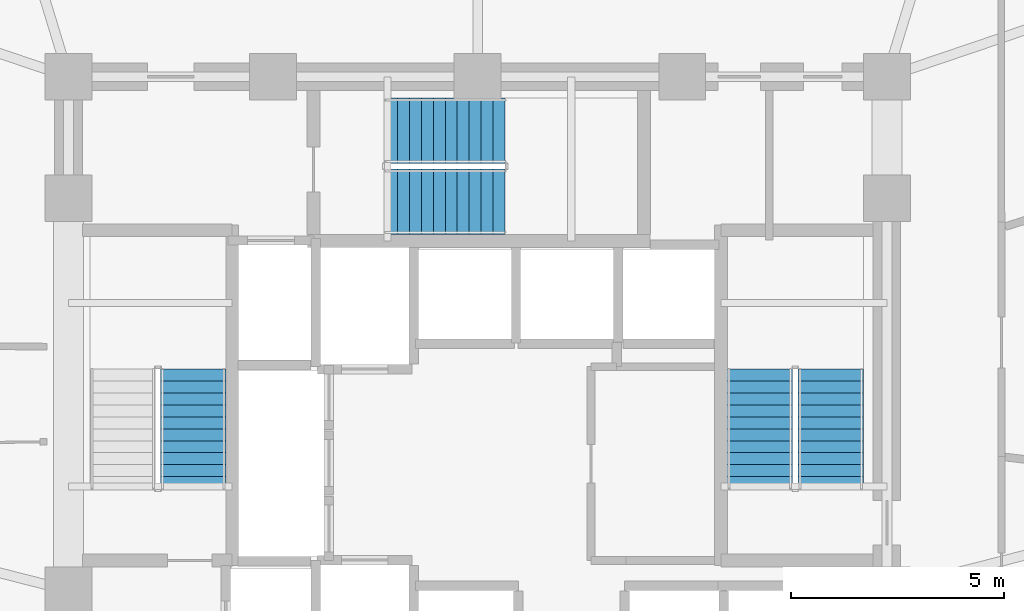
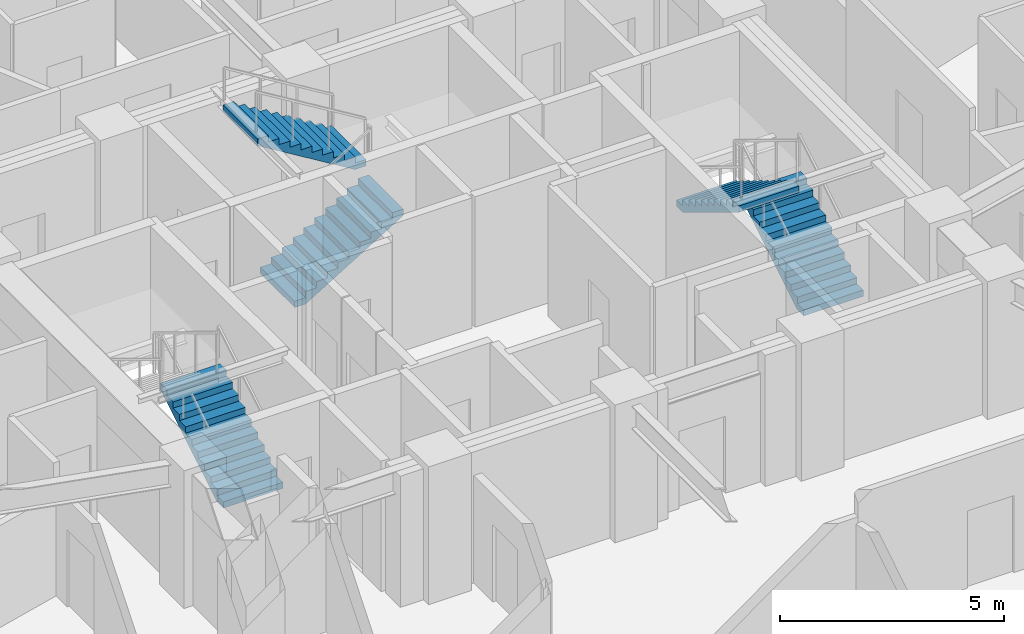
# One storey, part 28 of 33: 5 stair flights, 3 elements without a shape of their own.
"""IFC4 building model written with IfcOpenShell, lengths in metres."""

from ifc_helpers import new_model, si_unit, direction, frame, origin, place, context, subcontext, project, spatial, polyline, outline, extrude, material, type_object, element, aggregate, save


model = new_model("IFC4")

# Units and contexts
model_context = context("Model", 3, precision=1e-05, world=origin(), true_north=direction((0.0, 1.0)))
body_context = subcontext(model_context, "Body", "Model", "MODEL_VIEW")
ifc_project = project(units=[si_unit("LENGTHUNIT", "METRE"), si_unit("AREAUNIT", "SQUARE_METRE"), si_unit("VOLUMEUNIT", "CUBIC_METRE"), si_unit("PLANEANGLEUNIT", "RADIAN"), si_unit("MASSUNIT", "GRAM", prefix="KILO")], contexts=[model_context])

# Site, building, storey
site_placement = place(None, origin())
site = spatial("IfcSite", under=ifc_project, at=site_placement, CompositionType="ELEMENT")
building_placement = place(site_placement, origin())
building = spatial("IfcBuilding", under=site, at=building_placement, Name="Vantalir Tower", CompositionType="ELEMENT")
storey_placement = place(building_placement, frame((0.0, 0.0, 72.0)))
storey = spatial("IfcBuildingStorey", under=building, at=storey_placement, Name="L17", CompositionType="ELEMENT", Elevation=72.0)

# Stair, stair flight
ifc_material = material(Name="Concrete C40/50", Category="concrete")
stair_type = type_object("IfcStairType", Name="STR-CORE-1450", PredefinedType="HALF_TURN_STAIR", material=ifc_material)
stair_1_placement = place(storey_placement, origin())
stair_1 = element("IfcStair", 1, at=stair_1_placement, inside=storey, type_object=stair_type, Name="L17 Core Exit Stair 1", PredefinedType="HALF_TURN_STAIR")
stair_flight_type = type_object("IfcStairFlightType", Name="FLT-CORE-1450", PredefinedType="STRAIGHT", material=ifc_material)
stair_flight_1_placement = place(storey_placement, frame((24.830078125, 22.7900390625, 0.0), z_axis=(0.0, 0.0, 1.0), x_axis=(0.0, 1.0, 0.0)))
stair_flight_1 = element("IfcStairFlight", 2, at=stair_flight_1_placement, type_object=stair_flight_type, Name="ST1 flight 1", NumberOfRisers=11, NumberOfTreads=10, PredefinedType="STRAIGHT", RiserHeight=0.170454545, TreadLength=0.28, context=body_context, shape_type="SweptSolid", body=[
    extrude(outline(polyline([(0.0, 0.0), (0.0, 0.17041015625), (0.280029296875, 0.17041015625), (0.280029296875, 0.3408203125), (0.56005859375, 0.3408203125), (0.56005859375, 0.511474609375), (0.840087890625, 0.511474609375), (0.840087890625, 0.681884765625), (1.1201171875, 0.681884765625), (1.1201171875, 0.852294921875), (1.39990234375, 0.852294921875), (1.39990234375, 1.022705078125), (1.679931640625, 1.022705078125), (1.679931640625, 1.193115234375), (1.9599609375, 1.193115234375), (1.9599609375, 1.363525390625), (2.239990234375, 1.363525390625), (2.239990234375, 1.5341796875), (2.52001953125, 1.5341796875), (2.52001953125, 1.70458984375), (2.800048828125, 1.70458984375), (2.800048828125, 1.875), (2.800048828125, 1.529052734375), (0.288330078125, 0.0), (0.0, 0.0)])), frame((0.0, 0.77001953125, 0.0), z_axis=(0.0, -1.0, 0.0), x_axis=(1.0, 0.0, 0.0)), (0.0, 0.0, 1.0), 1.5400390625),
])
aggregate(stair_1, [stair_flight_1])

# Stair, stair flights
stair_2_placement = place(storey_placement, origin())
stair_2 = element("IfcStair", 3, at=stair_2_placement, inside=storey, type_object=stair_type, Name="L17 Core Exit Stair 2", PredefinedType="HALF_TURN_STAIR")
stair_flight_2_placement = place(storey_placement, frame((39.780029296875, 22.7900390625, 0.0), z_axis=(0.0, 0.0, 1.0), x_axis=(0.0, 1.0, 0.0)))
stair_flight_2 = element("IfcStairFlight", 4, at=stair_flight_2_placement, type_object=stair_flight_type, Name="ST2 flight 1", NumberOfRisers=11, NumberOfTreads=10, PredefinedType="STRAIGHT", RiserHeight=0.170454545, TreadLength=0.28, context=body_context, shape_type="SweptSolid", body=[
    extrude(outline(polyline([(0.0, 0.0), (0.0, 0.17041015625), (0.280029296875, 0.17041015625), (0.280029296875, 0.3408203125), (0.56005859375, 0.3408203125), (0.56005859375, 0.511474609375), (0.840087890625, 0.511474609375), (0.840087890625, 0.681884765625), (1.1201171875, 0.681884765625), (1.1201171875, 0.852294921875), (1.39990234375, 0.852294921875), (1.39990234375, 1.022705078125), (1.679931640625, 1.022705078125), (1.679931640625, 1.193115234375), (1.9599609375, 1.193115234375), (1.9599609375, 1.363525390625), (2.239990234375, 1.363525390625), (2.239990234375, 1.5341796875), (2.52001953125, 1.5341796875), (2.52001953125, 1.70458984375), (2.800048828125, 1.70458984375), (2.800048828125, 1.875), (2.800048828125, 1.529052734375), (0.288330078125, 0.0), (0.0, 0.0)])), frame((0.0, 0.77001953125, 0.0), z_axis=(0.0, -1.0, 0.0), x_axis=(1.0, 0.0, 0.0)), (0.0, 0.0, 1.0), 1.5400390625),
])
stair_flight_3_placement = place(storey_placement, frame((38.1201171875, 25.590087890625, 1.875), z_axis=(0.0, 0.0, 1.0), x_axis=(0.0, -1.0, 0.0)))
stair_flight_3 = element("IfcStairFlight", 5, at=stair_flight_3_placement, type_object=stair_flight_type, Name="ST2 flight 2", NumberOfRisers=11, NumberOfTreads=10, PredefinedType="STRAIGHT", RiserHeight=0.170454545, TreadLength=0.28, context=body_context, shape_type="SweptSolid", body=[
    extrude(outline(polyline([(0.0, 0.0), (0.0, 0.17041015625), (0.280029296875, 0.17041015625), (0.280029296875, 0.3408203125), (0.56005859375, 0.3408203125), (0.56005859375, 0.511474609375), (0.840087890625, 0.511474609375), (0.840087890625, 0.681884765625), (1.1201171875, 0.681884765625), (1.1201171875, 0.852294921875), (1.39990234375, 0.852294921875), (1.39990234375, 1.022705078125), (1.679931640625, 1.022705078125), (1.679931640625, 1.193115234375), (1.9599609375, 1.193115234375), (1.9599609375, 1.363525390625), (2.239990234375, 1.363525390625), (2.239990234375, 1.5341796875), (2.52001953125, 1.5341796875), (2.52001953125, 1.70458984375), (2.800048828125, 1.70458984375), (2.800048828125, 1.875), (2.800048828125, 1.529052734375), (0.288330078125, 0.0), (0.0, 0.0)])), frame((0.0, 0.77001953125, 0.0), z_axis=(0.0, -1.0, 0.0), x_axis=(1.0, 0.0, 0.0)), (0.0, 0.0, 1.0), 1.5400390625),
])
aggregate(stair_2, [stair_flight_2, stair_flight_3])

stair_3_placement = place(storey_placement, origin())
stair_3 = element("IfcStair", 6, at=stair_3_placement, inside=storey, type_object=stair_type, Name="L17 Core Exit Stair 3", PredefinedType="HALF_TURN_STAIR")
stair_flight_4_placement = place(storey_placement, frame((29.340087890625, 29.52001953125, 0.0), z_axis=(0.0, 0.0, 1.0), x_axis=(1.0, 0.0, 0.0)))
stair_flight_4 = element("IfcStairFlight", 7, at=stair_flight_4_placement, type_object=stair_flight_type, Name="ST3 flight 1", NumberOfRisers=11, NumberOfTreads=10, PredefinedType="STRAIGHT", RiserHeight=0.170454545, TreadLength=0.28, context=body_context, shape_type="SweptSolid", body=[
    extrude(outline(polyline([(0.0, 0.0), (0.0, 0.17041015625), (0.280029296875, 0.17041015625), (0.280029296875, 0.3408203125), (0.56005859375, 0.3408203125), (0.56005859375, 0.511474609375), (0.840087890625, 0.511474609375), (0.840087890625, 0.681884765625), (1.1201171875, 0.681884765625), (1.1201171875, 0.852294921875), (1.39990234375, 0.852294921875), (1.39990234375, 1.022705078125), (1.679931640625, 1.022705078125), (1.679931640625, 1.193115234375), (1.9599609375, 1.193115234375), (1.9599609375, 1.363525390625), (2.239990234375, 1.363525390625), (2.239990234375, 1.5341796875), (2.52001953125, 1.5341796875), (2.52001953125, 1.70458984375), (2.800048828125, 1.70458984375), (2.800048828125, 1.875), (2.800048828125, 1.529052734375), (0.288330078125, 0.0), (0.0, 0.0)])), frame((0.0, 0.77001953125, 0.0), z_axis=(0.0, -1.0, 0.0), x_axis=(1.0, 0.0, 0.0)), (0.0, 0.0, 1.0), 1.5400390625),
])
stair_flight_5_placement = place(storey_placement, frame((32.139892578125, 31.179931640625, 1.875), z_axis=(0.0, 0.0, 1.0), x_axis=(-1.0, 0.0, 0.0)))
stair_flight_5 = element("IfcStairFlight", 8, at=stair_flight_5_placement, type_object=stair_flight_type, Name="ST3 flight 2", NumberOfRisers=11, NumberOfTreads=10, PredefinedType="STRAIGHT", RiserHeight=0.170454545, TreadLength=0.28, context=body_context, shape_type="SweptSolid", body=[
    extrude(outline(polyline([(0.0, 0.0), (0.0, 0.17041015625), (0.280029296875, 0.17041015625), (0.280029296875, 0.3408203125), (0.56005859375, 0.3408203125), (0.56005859375, 0.511474609375), (0.840087890625, 0.511474609375), (0.840087890625, 0.681884765625), (1.1201171875, 0.681884765625), (1.1201171875, 0.852294921875), (1.39990234375, 0.852294921875), (1.39990234375, 1.022705078125), (1.679931640625, 1.022705078125), (1.679931640625, 1.193115234375), (1.9599609375, 1.193115234375), (1.9599609375, 1.363525390625), (2.239990234375, 1.363525390625), (2.239990234375, 1.5341796875), (2.52001953125, 1.5341796875), (2.52001953125, 1.70458984375), (2.800048828125, 1.70458984375), (2.800048828125, 1.875), (2.800048828125, 1.529052734375), (0.288330078125, 0.0), (0.0, 0.0)])), frame((0.0, 0.77001953125, 0.0), z_axis=(0.0, -1.0, 0.0), x_axis=(1.0, 0.0, 0.0)), (0.0, 0.0, 1.0), 1.5400390625),
])
aggregate(stair_3, [stair_flight_4, stair_flight_5])

save(model, "model.ifc")
